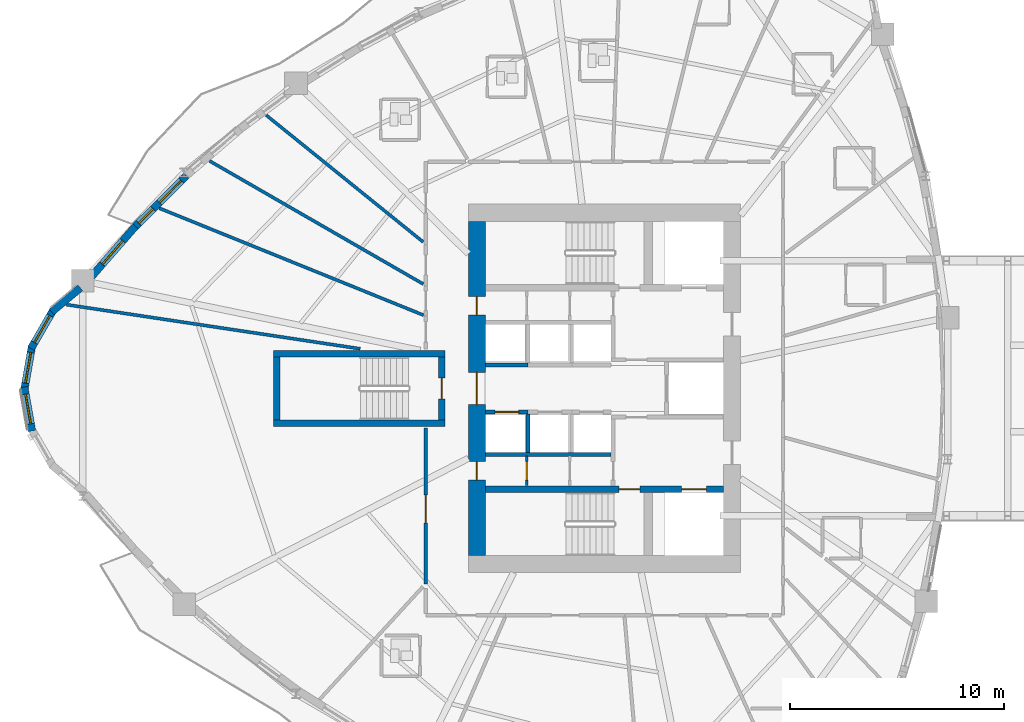
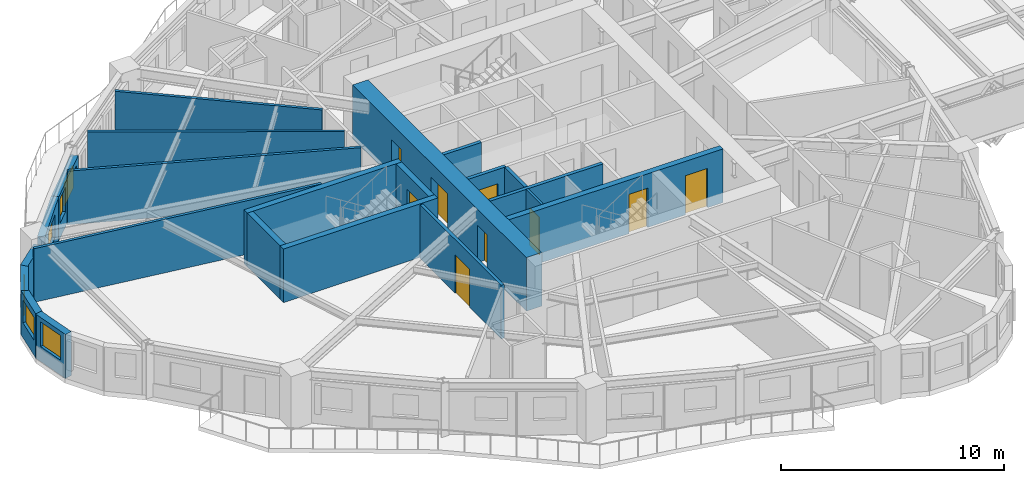
# One storey, part 5 of 16: 22 walls, 9 doors, 6 windows, 15 openings.
"""IFC4 building model written with IfcOpenShell, lengths in metres."""

import ifcopenshell
import ifcopenshell.guid

model = None  # the IFC model being written
_history = None  # IfcOwnerHistory: only IFC2X3 demands one
_inside = {}  # id of a spatial element -> (the spatial element, [elements in it])
_under = {}  # id of a project, library or spatial element -> (it, [spatial elements below it])
_declared = {}  # id of a project -> (the project, [libraries it declares])
_typed = {}  # id of a type object -> (the type object, [elements of that type])
_made_of = {}  # id of a material, layer set ... -> (it, [elements and type objects made of it])


def new_model(schema):
    """Start an empty IFC model of exactly this schema.

    Asked for "IFC4X3", IfcOpenShell would pick the latest addendum, in which some entities
    have other attributes; the version numbers below select the first issue.
    IFC2X3 requires an IfcOwnerHistory on every rooted entity: one is made here for all.
    """
    global model, _history
    if schema == "IFC4X3":
        model = ifcopenshell.file(schema_version=(4, 3, 0, 0))
    else:
        model = ifcopenshell.file(schema=schema)
    _inside.clear()
    _under.clear()
    _declared.clear()
    _typed.clear()
    _made_of.clear()
    _history = None
    if model.schema == "IFC2X3":
        org = make("IfcOrganization", Name="unknown")
        user = make(
            "IfcPersonAndOrganization",
            ThePerson=make("IfcPerson", FamilyName="unknown"),
            TheOrganization=org,
        )
        app = make(
            "IfcApplication",
            ApplicationDeveloper=org,
            Version="unknown",
            ApplicationFullName="unknown",
            ApplicationIdentifier="unknown",
        )
        _history = make(
            "IfcOwnerHistory",
            OwningUser=user,
            OwningApplication=app,
            ChangeAction="ADDED",
            CreationDate=0,
        )
    return model


def make(cls, **values):
    """One entity of the class cls with the attributes given. An attribute that is None is left unset."""
    return model.create_entity(
        cls, **{name: value for name, value in values.items() if value is not None}
    )


def rooted(cls, **values):
    """An entity with a GlobalId (a new one), such as an element, a storey or a relation."""
    return make(cls, GlobalId=ifcopenshell.guid.new(), OwnerHistory=_history, **values)


def si_unit(unit_type, name, prefix=None):
    """IfcSIUnit, for example si_unit("LENGTHUNIT", "METRE", prefix="MILLI")."""
    return make("IfcSIUnit", UnitType=unit_type, Prefix=prefix, Name=name)


def assignment(units):
    """IfcUnitAssignment: the units of a project."""
    return None if units is None else make("IfcUnitAssignment", Units=units)


def point(xyz):
    """IfcCartesianPoint."""
    return None if xyz is None else make("IfcCartesianPoint", Coordinates=xyz)


def direction(xyz):
    """IfcDirection."""
    return None if xyz is None else make("IfcDirection", DirectionRatios=xyz)


def frame(location, z_axis=None, x_axis=None):
    """IfcAxis2Placement3D, a coordinate frame: its origin and axes. An axis left out is left unset."""
    return make(
        "IfcAxis2Placement3D",
        Location=point(location),
        Axis=direction(z_axis),
        RefDirection=direction(x_axis),
    )


def frame_2d(location, x_axis=None):
    """IfcAxis2Placement2D, a coordinate frame in the plane: its origin and x axis."""
    return make(
        "IfcAxis2Placement2D", Location=point(location), RefDirection=direction(x_axis)
    )


def origin():
    """The frame at (0, 0, 0) with its axes left unset."""
    return frame((0.0, 0.0, 0.0))


def place(relative_to, where):
    """IfcLocalPlacement: puts the frame where relative to a parent placement (None: the world)."""
    return make(
        "IfcLocalPlacement", PlacementRelTo=relative_to, RelativePlacement=where
    )


def context(
    kind, dimensions, precision=None, world=None, true_north=None, identifier=None
):
    """IfcGeometricRepresentationContext, for example the 3D "Model" context."""
    return make(
        "IfcGeometricRepresentationContext",
        ContextIdentifier=identifier,
        ContextType=kind,
        CoordinateSpaceDimension=dimensions,
        Precision=precision,
        WorldCoordinateSystem=world,
        TrueNorth=true_north,
    )


def subcontext(parent, identifier, kind, view, scale=None):
    """IfcGeometricRepresentationSubContext, for example "Body" below "Model"."""
    return make(
        "IfcGeometricRepresentationSubContext",
        ContextIdentifier=identifier,
        ContextType=kind,
        ParentContext=parent,
        TargetScale=scale,
        TargetView=view,
    )


def project(units=None, contexts=None):
    """IfcProject with its units and contexts."""
    return rooted(
        "IfcProject",
        Name="project",
        RepresentationContexts=contexts,
        UnitsInContext=assignment(units),
    )


def spatial(cls, under=None, at=None, **own):
    """A site, building, storey or space (cls), placed at a placement, below another one or the project."""
    s = rooted(cls, ObjectPlacement=at, **own)
    if under is not None:
        _under.setdefault(under.id(), (under, []))[1].append(s)
    return s


def profile(cls, at=None, kind="AREA", **sizes):
    """A parametric profile (cls). Its sizes go by their IFC names, for example OverallWidth=200.0."""
    return make(cls, ProfileType=kind, Position=at, **sizes)


def rectangle(**sizes):
    """IfcRectangleProfileDef."""
    return profile("IfcRectangleProfileDef", **sizes)


def extrude(swept, where, along, depth):
    """IfcExtrudedAreaSolid: the profile swept, set in the frame where, extruded along a direction by depth."""
    return make(
        "IfcExtrudedAreaSolid",
        SweptArea=swept,
        Position=where,
        ExtrudedDirection=direction(along),
        Depth=depth,
    )


def shape(context_of_items, identifier, shape_type, items):
    """IfcShapeRepresentation: the items that make up one representation, for example the "Body"."""
    return make(
        "IfcShapeRepresentation",
        ContextOfItems=context_of_items,
        RepresentationIdentifier=identifier,
        RepresentationType=shape_type,
        Items=items,
    )


def source(mapping_origin, context_of_items, identifier, shape_type, items):
    """IfcRepresentationMap: a shape defined once, which mapped items show again and again."""
    return make(
        "IfcRepresentationMap",
        MappingOrigin=mapping_origin,
        MappedRepresentation=shape(context_of_items, identifier, shape_type, items),
    )


def transform(
    local_origin,
    x_axis=None,
    y_axis=None,
    z_axis=None,
    scale=None,
    scale2=None,
    scale3=None,
    uniform=True,
):
    """IfcCartesianTransformationOperator3D, or its non-uniform kind. x_axis, y_axis, z_axis: its Axis1, 2, 3."""
    if uniform:
        return make(
            "IfcCartesianTransformationOperator3D",
            Axis1=direction(x_axis),
            Axis2=direction(y_axis),
            LocalOrigin=point(local_origin),
            Scale=scale,
            Axis3=direction(z_axis),
        )
    return make(
        "IfcCartesianTransformationOperator3DnonUniform",
        Axis1=direction(x_axis),
        Axis2=direction(y_axis),
        LocalOrigin=point(local_origin),
        Scale=scale,
        Axis3=direction(z_axis),
        Scale2=scale2,
        Scale3=scale3,
    )


def mapped(mapping_source, mapping_target):
    """IfcMappedItem: shows the shape of a source again, moved by a transform."""
    return make(
        "IfcMappedItem", MappingSource=mapping_source, MappingTarget=mapping_target
    )


def material(Name=None, Category=None):
    """IfcMaterial."""
    return make("IfcMaterial", Name=Name, Category=Category)


def layer(
    of_material, thickness, ventilated=None, Name=None, Category=None, Priority=None
):
    """IfcMaterialLayer: one layer of a wall or slab, of a material (None: an air gap)."""
    return make(
        "IfcMaterialLayer",
        Material=of_material,
        LayerThickness=thickness,
        IsVentilated=ventilated,
        Name=Name,
        Category=Category,
        Priority=Priority,
    )


def layer_set(layers, Name=None):
    """IfcMaterialLayerSet."""
    return make("IfcMaterialLayerSet", MaterialLayers=layers, LayerSetName=Name)


def made_of(thing, what):
    """Note that an element or type object is made of a material, layer set ...; save() writes the relation."""
    if what is not None:
        _made_of.setdefault(what.id(), (what, []))[1].append(thing)
    return thing


def type_object(cls, material=None, **own):
    """A type object (cls), such as IfcWallType, which elements share."""
    return made_of(rooted(cls, **own), material)


def element(
    cls,
    number,
    at=None,
    inside=None,
    cuts=None,
    type_object=None,
    material=None,
    context=None,
    identifier="Body",
    shape_type=None,
    held_by="IfcProductDefinitionShape",
    body=None,
    shapes=None,
    **own,
):
    """One element of the class cls, such as IfcWall. Its Tag is "e" and its number.

    at: its placement. inside: the storey or other place that contains it. cuts: it is an
    opening in that element (IfcRelVoidsElement). A single representation is given by context,
    identifier, shape_type and body (its items); several are given by shapes. held_by: the class
    of the entity that holds the representations. save() writes the other relations.
    """
    e = rooted(cls, Tag="e%d" % number, ObjectPlacement=at, **own)
    if body is not None:
        shapes = [shape(context, identifier, shape_type, body)]
    if shapes is not None:
        e.Representation = make(held_by, Representations=shapes)
    if inside is not None:
        _inside.setdefault(inside.id(), (inside, []))[1].append(e)
    if cuts is not None:
        rooted(
            "IfcRelVoidsElement", RelatingBuildingElement=cuts, RelatedOpeningElement=e
        )
    if type_object is not None:
        _typed.setdefault(type_object.id(), (type_object, []))[1].append(e)
    return made_of(e, material)


def fill(opening, filler):
    """IfcRelFillsElement: the door or window that sits in an opening."""
    return rooted(
        "IfcRelFillsElement",
        RelatingOpeningElement=opening,
        RelatedBuildingElement=filler,
    )


def aggregate(whole, parts):
    """IfcRelAggregates: a whole, such as a stair, and the parts it consists of."""
    return rooted("IfcRelAggregates", RelatingObject=whole, RelatedObjects=parts)


def save(model, path):
    """Write the relations noted so far, then the file.

    IfcRelAggregates (storeys below a building ...), IfcRelContainedInSpatialStructure (elements
    in a storey), IfcRelDefinesByType, IfcRelAssociatesMaterial and IfcRelDeclares: one each for
    every whole, place, type object, material and project.
    """
    for whole, parts in _under.values():
        aggregate(whole, parts)
    for where, things in _inside.values():
        rooted(
            "IfcRelContainedInSpatialStructure",
            RelatedElements=things,
            RelatingStructure=where,
        )
    for kind, things in _typed.values():
        rooted("IfcRelDefinesByType", RelatedObjects=things, RelatingType=kind)
    for what, things in _made_of.values():
        rooted("IfcRelAssociatesMaterial", RelatedObjects=things, RelatingMaterial=what)
    for by, libraries in _declared.values():
        rooted("IfcRelDeclares", RelatingContext=by, RelatedDefinitions=libraries)
    model.write(path)


model = new_model("IFC4")

# Units and contexts
model_context = context("Model", 3, precision=1e-05, world=origin(), true_north=direction((0.0, 1.0)))
body_context = subcontext(model_context, "Body", "Model", "MODEL_VIEW")
ifc_project = project(units=[si_unit("LENGTHUNIT", "METRE"), si_unit("AREAUNIT", "SQUARE_METRE"), si_unit("VOLUMEUNIT", "CUBIC_METRE"), si_unit("PLANEANGLEUNIT", "RADIAN"), si_unit("MASSUNIT", "GRAM", prefix="KILO")], contexts=[model_context])

# Site, building, storey
site_placement = place(None, origin())
site = spatial("IfcSite", under=ifc_project, at=site_placement, CompositionType="ELEMENT")
building_placement = place(site_placement, origin())
building = spatial("IfcBuilding", under=site, at=building_placement, Name="Qafzar Sky-Pleat Residences", CompositionType="ELEMENT")
storey_placement = place(building_placement, frame((0.0, 0.0, 30.199951171875)))
storey = spatial("IfcBuildingStorey", under=building, at=storey_placement, Name="L08", CompositionType="ELEMENT", Elevation=30.199951171875)

# Wall, opening, door
ifc_material_1 = material(Name="Acoustic gypsum plasterboard partition", Category="gypsum")
ifc_layer_1 = layer(ifc_material_1, 0.159912109375)
ifc_layer_set_1 = layer_set([ifc_layer_1], Name="Acoustic gypsum plasterboard partition")
wall_type_1 = type_object("IfcWallType", Name="PART-COR-160", PredefinedType="PARTITIONING", material=ifc_layer_set_1)
wall_1_placement = place(storey_placement, frame((22.02001953125, 16.883056640625, 0.0), z_axis=(0.0, 0.0, 1.0), x_axis=(0.0, 1.0, 0.0)))
wall_1 = element("IfcWall", 1, at=wall_1_placement, inside=storey, type_object=wall_type_1, Name="L08 Partition Wall PART-L08-PW-002", PredefinedType="PARTITIONING", context=body_context, shape_type="SweptSolid", body=[
    extrude(rectangle(XDim=7.266845703125, YDim=0.159912109375, at=frame_2d((3.63330078125, 0.0))), origin(), (0.0, 0.0, 1.0), 2.93505859375),
])
opening_1_placement = place(wall_1_placement, frame((2.844970703125, 0.0, 0.0)))
opening_1 = element("IfcOpeningElement", 2, at=opening_1_placement, cuts=wall_1, Name="Opening ID-05", PredefinedType="OPENING", context=body_context, shape_type="SweptSolid", body=[
    extrude(rectangle(XDim=1.300048828125, YDim=2.10009765625, at=frame_2d((0.64990234375, 1.050048828125))), frame((0.0, 0.08984375, 0.0), z_axis=(0.0, -1.0, 0.0), x_axis=(1.0, 0.0, 0.0)), (0.0, 0.0, 1.0), 0.179931640625),
])
ifc_material_2 = material(Name="Timber-faced fire door", Category="wood")
door_type_1 = type_object("IfcDoorType", Name="DR-LNG-1300", OperationType="DOUBLE_DOOR_SINGLE_SWING", PredefinedType="DOOR", material=ifc_material_2)
shared_shape_1 = source(origin(), body_context, "Body", "SweptSolid", [
    extrude(rectangle(XDim=1.300048828125, YDim=2.10009765625, at=frame_2d((0.64990234375, 1.050048828125))), frame((0.0, 0.02490234375, 0.0), z_axis=(0.0, -1.0, 0.0), x_axis=(1.0, 0.0, 0.0)), (0.0, 0.0, 1.0), 0.050048828125),
])
door_1_placement = place(opening_1_placement, origin())
door_1 = element("IfcDoor", 3, at=door_1_placement, inside=storey, type_object=door_type_1, Name="L08 Academic Seminar Room Door", OperationType="DOUBLE_DOOR_SINGLE_SWING", OverallHeight=2.10009765625, OverallWidth=1.300048828125, PredefinedType="DOOR", context=body_context, shape_type="MappedRepresentation", body=[
    mapped(shared_shape_1, transform((0.0, 0.0, 0.0), x_axis=(1.0, 0.0, 0.0), y_axis=(0.0, 1.0, 0.0), z_axis=(0.0, 0.0, 1.0), scale=1.0)),
])
fill(opening_1, door_1)

# Wall
ifc_material_3 = material(Name="Concrete blockwork partition", Category="masonry")
ifc_layer_2 = layer(ifc_material_3, 0.179931640625)
ifc_layer_set_2 = layer_set([ifc_layer_2], Name="Concrete blockwork partition")
wall_type_2 = type_object("IfcWallType", Name="PART-SHAFT-180", PredefinedType="PARTITIONING", material=ifc_layer_set_2)
wall_2_placement = place(storey_placement, frame((24.81005859375, 22.919921875, 0.0), z_axis=(0.0, 0.0, 1.0), x_axis=(1.0, 0.0, 0.0)))
element("IfcWall", 4, at=wall_2_placement, inside=storey, type_object=wall_type_2, Name="L08 Partition Wall PART-L08-P13-S", PredefinedType="PARTITIONING", context=body_context, shape_type="SweptSolid", body=[
    extrude(rectangle(XDim=5.83984375, YDim=0.179931640625, at=frame_2d((2.919921875, 0.0))), origin(), (0.0, 0.0, 1.0), 2.93505859375),
])

# Wall, opening, door
wall_3_placement = place(storey_placement, frame((24.81005859375, 24.89990234375, 0.0), z_axis=(0.0, 0.0, 1.0), x_axis=(1.0, 0.0, 0.0)))
wall_3 = element("IfcWall", 5, at=wall_3_placement, inside=storey, type_object=wall_type_2, Name="L08 Partition Wall PART-L08-P1-N", PredefinedType="PARTITIONING", context=body_context, shape_type="SweptSolid", body=[
    extrude(rectangle(XDim=1.96484375, YDim=0.179931640625, at=frame_2d((0.982421875, 0.0))), origin(), (0.0, 0.0, 1.0), 2.93505859375),
])
opening_2_placement = place(wall_3_placement, frame((0.4326171875, 0.0, 0.0)))
opening_2 = element("IfcOpeningElement", 6, at=opening_2_placement, cuts=wall_3, Name="Opening LD-01", PredefinedType="OPENING", context=body_context, shape_type="SweptSolid", body=[
    extrude(rectangle(XDim=1.10009765625, YDim=2.14990234375, at=frame_2d((0.550048828125, 1.074951171875))), frame((0.0, 0.10009765625, 0.0), z_axis=(0.0, -1.0, 0.0), x_axis=(1.0, 0.0, 0.0)), (0.0, 0.0, 1.0), 0.199951171875),
])
ifc_material_4 = material(Name="Stainless steel sliding landing door", Category="steel")
door_type_2 = type_object("IfcDoorType", Name="DR-LIFT-P", OperationType="DOUBLE_DOOR_SLIDING", PredefinedType="DOOR", material=ifc_material_4)
shared_shape_2 = source(origin(), body_context, "Body", "SweptSolid", [
    extrude(rectangle(XDim=1.10009765625, YDim=2.14990234375, at=frame_2d((0.550048828125, 1.074951171875))), frame((0.0, 0.02490234375, 0.0), z_axis=(0.0, -1.0, 0.0), x_axis=(1.0, 0.0, 0.0)), (0.0, 0.0, 1.0), 0.050048828125),
])
door_2_placement = place(opening_2_placement, origin())
door_2 = element("IfcDoor", 7, at=door_2_placement, inside=storey, type_object=door_type_2, Name="L08 Passenger Lift P1 Landing Door", OperationType="DOUBLE_DOOR_SLIDING", OverallHeight=2.14990234375, OverallWidth=1.10009765625, PredefinedType="DOOR", context=body_context, shape_type="MappedRepresentation", body=[
    mapped(shared_shape_2, transform((0.0, 0.0, 0.0), x_axis=(1.0, 0.0, 0.0), y_axis=(0.0, 1.0, 0.0), z_axis=(0.0, 0.0, 1.0), scale=1.0)),
])
fill(opening_2, door_2)

# Walls
wall_4_placement = place(storey_placement, frame((26.77490234375, 23.02001953125, 0.0), z_axis=(0.0, 0.0, 1.0), x_axis=(0.0, 1.0, 0.0)))
element("IfcWall", 8, at=wall_4_placement, inside=storey, type_object=wall_type_2, Name="L08 Partition Wall PART-L08-P13-DIV-1", PredefinedType="PARTITIONING", context=body_context, shape_type="SweptSolid", body=[
    extrude(rectangle(XDim=1.780029296875, YDim=0.179931640625, at=frame_2d((0.89013671875, 0.0))), origin(), (0.0, 0.0, 1.0), 2.93505859375),
])
wall_5_placement = place(storey_placement, frame((24.81005859375, 27.10009765625, 0.0), z_axis=(0.0, 0.0, 1.0), x_axis=(1.0, 0.0, 0.0)))
element("IfcWall", 9, at=wall_5_placement, inside=storey, type_object=wall_type_2, Name="L08 Partition Wall PART-L08-P4-S", PredefinedType="PARTITIONING", context=body_context, shape_type="SweptSolid", body=[
    extrude(rectangle(XDim=1.96484375, YDim=0.179931640625, at=frame_2d((0.982421875, 0.0))), origin(), (0.0, 0.0, 1.0), 2.93505859375),
])

# Wall, opening, door
ifc_material_5 = material(Name="Gypsum plasterboard partition", Category="gypsum")
ifc_layer_3 = layer(ifc_material_5, 0.114990234375)
ifc_layer_set_3 = layer_set([ifc_layer_3], Name="Gypsum plasterboard partition")
wall_type_3 = type_object("IfcWallType", Name="PART-SVC-115", PredefinedType="PARTITIONING", material=ifc_layer_set_3)
wall_6_placement = place(storey_placement, frame((26.72509765625, 21.4599609375, 0.0), z_axis=(0.0, 0.0, 1.0), x_axis=(0.0, 1.0, 0.0)))
wall_6 = element("IfcWall", 10, at=wall_6_placement, inside=storey, type_object=wall_type_3, Name="L08 Partition Wall PART-L08-KC-SW-1", PredefinedType="PARTITIONING", context=body_context, shape_type="SweptSolid", body=[
    extrude(rectangle(XDim=1.380126953125, YDim=0.114990234375, at=frame_2d((0.68994140625, 0.0))), origin(), (0.0, 0.0, 1.0), 2.93505859375),
])
opening_3_placement = place(wall_6_placement, frame((0.260009765625, 0.0, 0.0)))
opening_3 = element("IfcOpeningElement", 11, at=opening_3_placement, cuts=wall_6, Name="Opening ID-09", PredefinedType="OPENING", context=body_context, shape_type="SweptSolid", body=[
    extrude(rectangle(XDim=0.860107421875, YDim=2.050048828125, at=frame_2d((0.43017578125, 1.02490234375))), frame((0.0, 0.0673828125, 0.0), z_axis=(0.0, -1.0, 0.0), x_axis=(1.0, 0.0, 0.0)), (0.0, 0.0, 1.0), 0.135009765625),
])
door_type_3 = type_object("IfcDoorType", Name="DR-SVC-860", OperationType="NOTDEFINED", PredefinedType="DOOR", material=ifc_material_2)
shared_shape_3 = source(origin(), body_context, "Body", "SweptSolid", [
    extrude(rectangle(XDim=0.860107421875, YDim=2.050048828125, at=frame_2d((0.43017578125, 1.02490234375))), frame((0.0, 0.02490234375, 0.0), z_axis=(0.0, -1.0, 0.0), x_axis=(1.0, 0.0, 0.0)), (0.0, 0.0, 1.0), 0.050048828125),
])
door_3_placement = place(opening_3_placement, origin())
door_3 = element("IfcDoor", 12, at=door_3_placement, inside=storey, type_object=door_type_3, Name="L08 Core South Cupboard 1 Door", OperationType="SINGLE_SWING_RIGHT", OverallHeight=2.050048828125, OverallWidth=0.860107421875, PredefinedType="DOOR", context=body_context, shape_type="MappedRepresentation", body=[
    mapped(shared_shape_3, transform((0.0, 0.0, 0.0), x_axis=(1.0, 0.0, 0.0), y_axis=(0.0, 1.0, 0.0), z_axis=(0.0, 0.0, 1.0), scale=1.0)),
])
fill(opening_3, door_3)

# Walls
ifc_layer_4 = layer(ifc_material_1, 0.14501953125)
ifc_layer_set_4 = layer_set([ifc_layer_4], Name="Acoustic gypsum plasterboard partition")
wall_type_4 = type_object("IfcWallType", Name="PART-UNIT-145", PredefinedType="PARTITIONING", material=ifc_layer_set_4)
wall_7_placement = place(storey_placement, frame((5.242431640625, 29.91015625, 0.0), z_axis=(0.0, 0.0, 1.0), x_axis=(0.988899381561, -0.148586719285, 0.0)))
element("IfcWall", 13, at=wall_7_placement, inside=storey, type_object=wall_type_4, Name="L08 Partition Wall PART-L08-PW-033", PredefinedType="PARTITIONING", context=body_context, shape_type="SweptSolid", body=[
    extrude(rectangle(XDim=13.8642578125, YDim=0.14501953125, at=frame_2d((6.93212890625, 0.0))), origin(), (0.0, 0.0, 1.0), 2.93505859375),
])
wall_8_placement = place(storey_placement, frame((9.577392578125, 34.410400390625, 0.0), z_axis=(0.0, 0.0, 1.0), x_axis=(0.926920362809, -0.375258099194, 0.0)))
element("IfcWall", 14, at=wall_8_placement, inside=storey, type_object=wall_type_4, Name="L08 Partition Wall PART-L08-PW-034", PredefinedType="PARTITIONING", context=body_context, shape_type="SweptSolid", body=[
    extrude(rectangle(XDim=13.300048828125, YDim=0.14501953125, at=frame_2d((6.64990234375, 0.0))), origin(), (0.0, 0.0, 1.0), 2.93505859375),
])
wall_9_placement = place(storey_placement, frame((11.92041015625, 36.617919921875, 0.0), z_axis=(0.0, 0.0, 1.0), x_axis=(0.866473494239, -0.499223080177, 0.0)))
element("IfcWall", 15, at=wall_9_placement, inside=storey, type_object=wall_type_4, Name="L08 Partition Wall PART-L08-PW-036", PredefinedType="PARTITIONING", context=body_context, shape_type="SweptSolid", body=[
    extrude(rectangle(XDim=11.513916015625, YDim=0.14501953125, at=frame_2d((5.7568359375, 0.0))), origin(), (0.0, 0.0, 1.0), 2.93505859375),
])
wall_10_placement = place(storey_placement, frame((14.56591796875, 38.750732421875, 0.0), z_axis=(0.0, 0.0, 1.0), x_axis=(0.777881688073, -0.628410756879, 0.0)))
element("IfcWall", 16, at=wall_10_placement, inside=storey, type_object=wall_type_4, Name="L08 Partition Wall PART-L08-PW-038", PredefinedType="PARTITIONING", context=body_context, shape_type="SweptSolid", body=[
    extrude(rectangle(XDim=9.4130859375, YDim=0.14501953125, at=frame_2d((4.70654296875, 0.0))), origin(), (0.0, 0.0, 1.0), 2.93505859375),
])
ifc_material_6 = material(Name="Precast concrete C40/50 with honed Riyadh limestone", Category="concrete")
ifc_layer_5 = layer(ifc_material_6, 0.35009765625)
ifc_layer_set_5 = layer_set([ifc_layer_5], Name="Precast concrete C40/50 with honed Riyadh limestone")
wall_type_5 = type_object("IfcWallType", Name="WALL-EXT-350", PredefinedType="SOLIDWALL", material=ifc_layer_set_5)
wall_11_placement = place(storey_placement, frame((5.892578125, 30.696044921875, 0.0), z_axis=(0.0, 0.0, 1.0), x_axis=(-0.766001205563, -0.64283913468, 0.0)))
element("IfcWall", 17, at=wall_11_placement, inside=storey, type_object=wall_type_5, Name="L08 Limestone Facade Wall 1", PredefinedType="SOLIDWALL", context=body_context, shape_type="SweptSolid", body=[
    extrude(rectangle(XDim=1.75244140625, YDim=0.35009765625, at=frame_2d((0.876220703125, 0.0))), origin(), (0.0, 0.0, 1.0), 2.4150390625),
])

# Wall, opening, window
wall_12_placement = place(storey_placement, frame((4.637451171875, 29.673583984375, 0.0), z_axis=(0.0, 0.0, 1.0), x_axis=(-0.499995423472, -0.866028046028, 0.0)))
wall_12 = element("IfcWall", 18, at=wall_12_placement, inside=storey, type_object=wall_type_5, Name="L08 Limestone Facade Wall 2", PredefinedType="SOLIDWALL", context=body_context, shape_type="SweptSolid", body=[
    extrude(rectangle(XDim=2.09033203125, YDim=0.35009765625, at=frame_2d((1.045166015625, 0.0))), origin(), (0.0, 0.0, 1.0), 2.4150390625),
])
opening_4_placement = place(wall_12_placement, frame((0.3203125, 0.0, 0.820068359375)))
opening_4 = element("IfcOpeningElement", 19, at=opening_4_placement, cuts=wall_12, Name="Opening WN-15", PredefinedType="OPENING", context=body_context, shape_type="SweptSolid", body=[
    extrude(rectangle(XDim=1.449951171875, YDim=1.25, at=frame_2d((0.72509765625, 0.625))), frame((0.0, 0.18505859375, 0.0), z_axis=(0.0, -1.0, 0.0), x_axis=(1.0, 0.0, 0.0)), (0.0, 0.0, 1.0), 0.3701171875),
])
ifc_material_7 = material(Name="Solar-control low-E glass in bronze aluminium frame", Category="glass")
window_type_1 = type_object("IfcWindowType", Name="WIN-15", PartitioningType="SINGLE_PANEL", PredefinedType="WINDOW", material=ifc_material_7)
shared_shape_4 = source(origin(), body_context, "Body", "SweptSolid", [
    extrude(rectangle(XDim=1.449951171875, YDim=1.25, at=frame_2d((0.72509765625, 0.625))), frame((0.0, 0.030029296875, 0.0), z_axis=(0.0, -1.0, 0.0), x_axis=(1.0, 0.0, 0.0)), (0.0, 0.0, 1.0), 0.06005859375),
])
window_1_placement = place(opening_4_placement, origin())
window_1 = element("IfcWindow", 20, at=window_1_placement, inside=storey, type_object=window_type_1, Name="L08 Punched Facade Window 02", OverallHeight=1.25, OverallWidth=1.449951171875, PartitioningType="SINGLE_PANEL", PredefinedType="WINDOW", context=body_context, shape_type="MappedRepresentation", body=[
    mapped(shared_shape_4, transform((0.0, 0.0, 0.0), x_axis=(1.0, 0.0, 0.0), y_axis=(0.0, 1.0, 0.0), z_axis=(0.0, 0.0, 1.0), scale=1.0)),
])
fill(opening_4, window_1)

wall_13_placement = place(storey_placement, frame((3.638671875, 27.99072265625, 0.0), z_axis=(0.0, 0.0, 1.0), x_axis=(-0.173672066494, -0.984803540469, 0.0)))
wall_13 = element("IfcWall", 21, at=wall_13_placement, inside=storey, type_object=wall_type_5, Name="L08 Limestone Facade Wall 3", PredefinedType="SOLIDWALL", context=body_context, shape_type="SweptSolid", body=[
    extrude(rectangle(XDim=2.09033203125, YDim=0.35009765625, at=frame_2d((1.045166015625, 0.0))), origin(), (0.0, 0.0, 1.0), 2.4150390625),
])
opening_5_placement = place(wall_13_placement, frame((0.3203125, 0.0, 0.820068359375)))
opening_5 = element("IfcOpeningElement", 22, at=opening_5_placement, cuts=wall_13, Name="Opening WN-15", PredefinedType="OPENING", context=body_context, shape_type="SweptSolid", body=[
    extrude(rectangle(XDim=1.449951171875, YDim=1.25, at=frame_2d((0.72509765625, 0.625))), frame((0.0, 0.18505859375, 0.0), z_axis=(0.0, -1.0, 0.0), x_axis=(1.0, 0.0, 0.0)), (0.0, 0.0, 1.0), 0.3701171875),
])
window_2_placement = place(opening_5_placement, origin())
window_2 = element("IfcWindow", 23, at=window_2_placement, inside=storey, type_object=window_type_1, Name="L08 Punched Facade Window 03", OverallHeight=1.25, OverallWidth=1.449951171875, PartitioningType="SINGLE_PANEL", PredefinedType="WINDOW", context=body_context, shape_type="MappedRepresentation", body=[
    mapped(shared_shape_4, transform((0.0, 0.0, 0.0), x_axis=(1.0, 0.0, 0.0), y_axis=(0.0, 1.0, 0.0), z_axis=(0.0, 0.0, 1.0), scale=1.0)),
])
fill(opening_5, window_2)

wall_14_placement = place(storey_placement, frame((3.275634765625, 26.06787109375, 0.0), z_axis=(0.0, 0.0, 1.0), x_axis=(0.173672066494, -0.984803540469, 0.0)))
wall_14 = element("IfcWall", 24, at=wall_14_placement, inside=storey, type_object=wall_type_5, Name="L08 Limestone Facade Wall 4", PredefinedType="SOLIDWALL", context=body_context, shape_type="SweptSolid", body=[
    extrude(rectangle(XDim=2.09033203125, YDim=0.35009765625, at=frame_2d((1.045166015625, 0.0))), origin(), (0.0, 0.0, 1.0), 2.4150390625),
])
opening_6_placement = place(wall_14_placement, frame((0.34521484375, 0.0, 0.820068359375)))
opening_6 = element("IfcOpeningElement", 25, at=opening_6_placement, cuts=wall_14, Name="Opening WN-10", PredefinedType="OPENING", context=body_context, shape_type="SweptSolid", body=[
    extrude(rectangle(XDim=1.39990234375, YDim=1.35009765625, at=frame_2d((0.699951171875, 0.675048828125))), frame((0.0, 0.18505859375, 0.0), z_axis=(0.0, -1.0, 0.0), x_axis=(1.0, 0.0, 0.0)), (0.0, 0.0, 1.0), 0.3701171875),
])
window_type_2 = type_object("IfcWindowType", Name="WIN-10", PartitioningType="SINGLE_PANEL", PredefinedType="WINDOW", material=ifc_material_7)
shared_shape_5 = source(origin(), body_context, "Body", "SweptSolid", [
    extrude(rectangle(XDim=1.39990234375, YDim=1.35009765625, at=frame_2d((0.699951171875, 0.675048828125))), frame((0.0, 0.030029296875, 0.0), z_axis=(0.0, -1.0, 0.0), x_axis=(1.0, 0.0, 0.0)), (0.0, 0.0, 1.0), 0.06005859375),
])
window_3_placement = place(opening_6_placement, origin())
window_3 = element("IfcWindow", 26, at=window_3_placement, inside=storey, type_object=window_type_2, Name="L08 Punched Facade Window 04", OverallHeight=1.35009765625, OverallWidth=1.39990234375, PartitioningType="SINGLE_PANEL", PredefinedType="WINDOW", context=body_context, shape_type="MappedRepresentation", body=[
    mapped(shared_shape_5, transform((0.0, 0.0, 0.0), x_axis=(1.0, 0.0, 0.0), y_axis=(0.0, 1.0, 0.0), z_axis=(0.0, 0.0, 1.0), scale=1.0)),
])
fill(opening_6, window_3)

# Wall, openings, windows
wall_15_placement = place(storey_placement, frame((10.84130859375, 35.932373046875, 0.0), z_axis=(0.0, 0.0, 1.0), x_axis=(-0.708383272101, -0.70582798174, 0.0)))
wall_15 = element("IfcWall", 27, at=wall_15_placement, inside=storey, type_object=wall_type_5, Name="L08 Limestone Facade Wall 47", PredefinedType="SOLIDWALL", context=body_context, shape_type="SweptSolid", body=[
    extrude(rectangle(XDim=3.439453125, YDim=0.35009765625, at=frame_2d((1.7197265625, 0.0))), origin(), (0.0, 0.0, 1.0), 2.4150390625),
])
opening_7_placement = place(wall_15_placement, frame((0.334228515625, 0.0, 0.820068359375)))
opening_7 = element("IfcOpeningElement", 28, at=opening_7_placement, cuts=wall_15, Name="Opening WN-15", PredefinedType="OPENING", context=body_context, shape_type="SweptSolid", body=[
    extrude(rectangle(XDim=1.449951171875, YDim=1.25, at=frame_2d((0.72509765625, 0.625))), frame((0.0, 0.18505859375, 0.0), z_axis=(0.0, -1.0, 0.0), x_axis=(1.0, 0.0, 0.0)), (0.0, 0.0, 1.0), 0.3701171875),
])
opening_8_placement = place(wall_15_placement, frame((2.194091796875, 0.0, 0.820068359375)))
opening_8 = element("IfcOpeningElement", 29, at=opening_8_placement, cuts=wall_15, Name="Opening WN-12", PredefinedType="OPENING", context=body_context, shape_type="SweptSolid", body=[
    extrude(rectangle(XDim=0.949951171875, YDim=1.35009765625, at=frame_2d((0.47509765625, 0.675048828125))), frame((0.0, 0.18505859375, 0.0), z_axis=(0.0, -1.0, 0.0), x_axis=(1.0, 0.0, 0.0)), (0.0, 0.0, 1.0), 0.3701171875),
])
window_type_3 = type_object("IfcWindowType", Name="WIN-12", PartitioningType="SINGLE_PANEL", PredefinedType="WINDOW", material=ifc_material_7)
shared_shape_6 = source(origin(), body_context, "Body", "SweptSolid", [
    extrude(rectangle(XDim=0.949951171875, YDim=1.35009765625, at=frame_2d((0.47509765625, 0.675048828125))), frame((0.0, 0.030029296875, 0.0), z_axis=(0.0, -1.0, 0.0), x_axis=(1.0, 0.0, 0.0)), (0.0, 0.0, 1.0), 0.06005859375),
])
window_4_placement = place(opening_8_placement, origin())
window_4 = element("IfcWindow", 30, at=window_4_placement, inside=storey, type_object=window_type_3, Name="L08 Punched Facade Window 47-2", OverallHeight=1.35009765625, OverallWidth=0.949951171875, PartitioningType="SINGLE_PANEL", PredefinedType="WINDOW", context=body_context, shape_type="MappedRepresentation", body=[
    mapped(shared_shape_6, transform((0.0, 0.0, 0.0), x_axis=(1.0, 0.0, 0.0), y_axis=(0.0, 1.0, 0.0), z_axis=(0.0, 0.0, 1.0), scale=1.0)),
])
fill(opening_8, window_4)
window_5_placement = place(opening_7_placement, origin())
window_5 = element("IfcWindow", 31, at=window_5_placement, inside=storey, type_object=window_type_1, Name="L08 Punched Facade Window 47", OverallHeight=1.25, OverallWidth=1.449951171875, PartitioningType="SINGLE_PANEL", PredefinedType="WINDOW", context=body_context, shape_type="MappedRepresentation", body=[
    mapped(shared_shape_4, transform((0.0, 0.0, 0.0), x_axis=(1.0, 0.0, 0.0), y_axis=(0.0, 1.0, 0.0), z_axis=(0.0, 0.0, 1.0), scale=1.0)),
])
fill(opening_7, window_5)

# Wall, opening, window
wall_16_placement = place(storey_placement, frame((8.46484375, 33.569091796875, 0.0), z_axis=(0.0, 0.0, 1.0), x_axis=(-0.657600500685, -0.753366830634, 0.0)))
wall_16 = element("IfcWall", 32, at=wall_16_placement, inside=storey, type_object=wall_type_5, Name="L08 Limestone Facade Wall 48", PredefinedType="SOLIDWALL", context=body_context, shape_type="SweptSolid", body=[
    extrude(rectangle(XDim=3.232666015625, YDim=0.35009765625, at=frame_2d((1.6162109375, 0.0))), origin(), (0.0, 0.0, 1.0), 2.4150390625),
])
opening_9_placement = place(wall_16_placement, frame((0.896240234375, 0.0, 0.820068359375)))
opening_9 = element("IfcOpeningElement", 33, at=opening_9_placement, cuts=wall_16, Name="Opening WN-15", PredefinedType="OPENING", context=body_context, shape_type="SweptSolid", body=[
    extrude(rectangle(XDim=1.449951171875, YDim=1.25, at=frame_2d((0.72509765625, 0.625))), frame((0.0, 0.18505859375, 0.0), z_axis=(0.0, -1.0, 0.0), x_axis=(1.0, 0.0, 0.0)), (0.0, 0.0, 1.0), 0.3701171875),
])
window_6_placement = place(opening_9_placement, origin())
window_6 = element("IfcWindow", 34, at=window_6_placement, inside=storey, type_object=window_type_1, Name="L08 Punched Facade Window 48", OverallHeight=1.25, OverallWidth=1.449951171875, PartitioningType="SINGLE_PANEL", PredefinedType="WINDOW", context=body_context, shape_type="MappedRepresentation", body=[
    mapped(shared_shape_4, transform((0.0, 0.0, 0.0), x_axis=(1.0, 0.0, 0.0), y_axis=(0.0, 1.0, 0.0), z_axis=(0.0, 0.0, 1.0), scale=1.0)),
])
fill(opening_9, window_6)

# Wall, openings, doors
ifc_material_8 = material(Name="Concrete C60/75", Category="concrete")
ifc_layer_6 = layer(ifc_material_8, 0.300048828125)
ifc_layer_set_6 = layer_set([ifc_layer_6], Name="Concrete C60/75")
wall_type_6 = type_object("IfcWallType", Name="WALL-SHEAR-300", PredefinedType="SHEAR", material=ifc_layer_set_6)
wall_17_placement = place(storey_placement, frame((24.800048828125, 21.300048828125, 0.0), z_axis=(0.0, 0.0, 1.0), x_axis=(1.0, 0.0, 0.0)))
wall_17 = element("IfcWall", 35, at=wall_17_placement, inside=storey, type_object=wall_type_6, Name="L08 Stair ST1 and FF1 Shaft North Wall", PredefinedType="SHEAR", context=body_context, shape_type="SweptSolid", body=[
    extrude(rectangle(XDim=11.099853515625, YDim=0.300048828125, at=frame_2d((5.5498046875, 0.0))), origin(), (0.0, 0.0, 1.0), 2.93505859375),
])
opening_10_placement = place(wall_17_placement, frame((6.219970703125, 0.0, 0.0)))
opening_10 = element("IfcOpeningElement", 36, at=opening_10_placement, cuts=wall_17, Name="Opening ID-01", PredefinedType="OPENING", context=body_context, shape_type="SweptSolid", body=[
    extrude(rectangle(XDim=0.97998046875, YDim=2.14990234375, at=frame_2d((0.489990234375, 1.074951171875))), frame((0.0, 0.16015625, 0.0), z_axis=(0.0, -1.0, 0.0), x_axis=(1.0, 0.0, 0.0)), (0.0, 0.0, 1.0), 0.320068359375),
])
opening_11_placement = place(wall_17_placement, frame((9.14990234375, 0.0, 0.0)))
opening_11 = element("IfcOpeningElement", 37, at=opening_11_placement, cuts=wall_17, Name="Opening LD-02", PredefinedType="OPENING", context=body_context, shape_type="SweptSolid", body=[
    extrude(rectangle(XDim=1.14990234375, YDim=2.14990234375, at=frame_2d((0.574951171875, 1.074951171875))), frame((0.0, 0.16015625, 0.0), z_axis=(0.0, -1.0, 0.0), x_axis=(1.0, 0.0, 0.0)), (0.0, 0.0, 1.0), 0.320068359375),
])
door_type_4 = type_object("IfcDoorType", Name="DR-STAIR-980", OperationType="NOTDEFINED", PredefinedType="DOOR", material=ifc_material_2)
shared_shape_7 = source(origin(), body_context, "Body", "SweptSolid", [
    extrude(rectangle(XDim=0.97998046875, YDim=2.14990234375, at=frame_2d((0.489990234375, 1.074951171875))), frame((0.0, 0.02490234375, 0.0), z_axis=(0.0, -1.0, 0.0), x_axis=(1.0, 0.0, 0.0)), (0.0, 0.0, 1.0), 0.050048828125),
])
door_4_placement = place(opening_10_placement, origin())
door_4 = element("IfcDoor", 38, at=door_4_placement, inside=storey, type_object=door_type_4, Name="L08 Stair ST1 Fire Door", OperationType="SINGLE_SWING_LEFT", OverallHeight=2.14990234375, OverallWidth=0.97998046875, PredefinedType="DOOR", context=body_context, shape_type="MappedRepresentation", body=[
    mapped(shared_shape_7, transform((0.0, 0.0, 0.0), x_axis=(1.0, 0.0, 0.0), y_axis=(0.0, 1.0, 0.0), z_axis=(0.0, 0.0, 1.0), scale=1.0)),
])
fill(opening_10, door_4)
door_type_5 = type_object("IfcDoorType", Name="DR-LIFT-FF", OperationType="DOUBLE_DOOR_SLIDING", PredefinedType="DOOR", material=ifc_material_4)
shared_shape_8 = source(origin(), body_context, "Body", "SweptSolid", [
    extrude(rectangle(XDim=1.14990234375, YDim=2.14990234375, at=frame_2d((0.574951171875, 1.074951171875))), frame((0.0, 0.02490234375, 0.0), z_axis=(0.0, -1.0, 0.0), x_axis=(1.0, 0.0, 0.0)), (0.0, 0.0, 1.0), 0.050048828125),
])
door_5_placement = place(opening_11_placement, origin())
door_5 = element("IfcDoor", 39, at=door_5_placement, inside=storey, type_object=door_type_5, Name="L08 Firefighting Lift FF1 Landing Door", OperationType="DOUBLE_DOOR_SLIDING", OverallHeight=2.14990234375, OverallWidth=1.14990234375, PredefinedType="DOOR", context=body_context, shape_type="MappedRepresentation", body=[
    mapped(shared_shape_8, transform((0.0, 0.0, 0.0), x_axis=(1.0, 0.0, 0.0), y_axis=(0.0, 1.0, 0.0), z_axis=(0.0, 0.0, 1.0), scale=1.0)),
])
fill(opening_11, door_5)

# Walls
for number, where, z_axis, x_axis, name in (
    (40, (14.89990234375, 24.375, 0.0), (0.0, 0.0, 1.0), (1.0, 0.0, 0.0), "L08 ST3 wall S"),
    (41, (22.89990234375, 27.625, 0.0), (0.0, 0.0, 1.0), (-1.0, 0.0, 0.0), "L08 ST3 wall N"),
):
    element("IfcWall", number, at=place(storey_placement, frame(where, z_axis=z_axis, x_axis=x_axis)), inside=storey, type_object=wall_type_6, Name=name, PredefinedType="SHEAR", context=body_context, shape_type="SweptSolid", body=[
        extrude(rectangle(XDim=8.0, YDim=0.300048828125, at=frame_2d((4.0, 0.0))), origin(), (0.0, 0.0, 1.0), 2.93505859375),
    ])
wall_18_placement = place(storey_placement, frame((15.050048828125, 27.47509765625, 0.0), z_axis=(0.0, 0.0, 1.0), x_axis=(0.0, -1.0, 0.0)))
element("IfcWall", 42, at=wall_18_placement, inside=storey, type_object=wall_type_6, Name="L08 ST3 wall W", PredefinedType="SHEAR", context=body_context, shape_type="SweptSolid", body=[
    extrude(rectangle(XDim=2.9501953125, YDim=0.300048828125, at=frame_2d((1.47509765625, 0.0))), origin(), (0.0, 0.0, 1.0), 2.93505859375),
])

# Wall, opening, door
wall_19_placement = place(storey_placement, frame((22.75, 24.52490234375, 0.0), z_axis=(0.0, 0.0, 1.0), x_axis=(0.0, 1.0, 0.0)))
wall_19 = element("IfcWall", 43, at=wall_19_placement, inside=storey, type_object=wall_type_6, Name="L08 ST3 wall E", PredefinedType="SHEAR", context=body_context, shape_type="SweptSolid", body=[
    extrude(rectangle(XDim=2.9501953125, YDim=0.300048828125, at=frame_2d((1.47509765625, 0.0))), origin(), (0.0, 0.0, 1.0), 2.93505859375),
])
opening_12_placement = place(wall_19_placement, frame((0.985107421875, 0.0, 0.0)))
opening_12 = element("IfcOpeningElement", 44, at=opening_12_placement, cuts=wall_19, Name="Opening ID-01", PredefinedType="OPENING", context=body_context, shape_type="SweptSolid", body=[
    extrude(rectangle(XDim=0.97998046875, YDim=2.14990234375, at=frame_2d((0.489990234375, 1.074951171875))), frame((0.0, 0.16015625, 0.0), z_axis=(0.0, -1.0, 0.0), x_axis=(1.0, 0.0, 0.0)), (0.0, 0.0, 1.0), 0.320068359375),
])
door_6_placement = place(opening_12_placement, origin())
door_6 = element("IfcDoor", 45, at=door_6_placement, inside=storey, type_object=door_type_4, Name="L08 Stair ST3 Fire Door", OperationType="SINGLE_SWING_LEFT", OverallHeight=2.14990234375, OverallWidth=0.97998046875, PredefinedType="DOOR", context=body_context, shape_type="MappedRepresentation", body=[
    mapped(shared_shape_7, transform((0.0, 0.0, 0.0), x_axis=(1.0, 0.0, 0.0), y_axis=(0.0, 1.0, 0.0), z_axis=(0.0, 0.0, 1.0), scale=1.0)),
])
fill(opening_12, door_6)

# Wall, openings, doors
ifc_layer_7 = layer(ifc_material_8, 0.800048828125)
ifc_layer_set_7 = layer_set([ifc_layer_7], Name="Concrete C60/75")
wall_type_7 = type_object("IfcWallType", Name="WALL-SHEAR-800", PredefinedType="SHEAR", material=ifc_layer_set_7)
wall_20_placement = place(storey_placement, frame((24.39990234375, 33.800048828125, 0.0), z_axis=(0.0, 0.0, 1.0), x_axis=(0.0, -1.0, 0.0)))
wall_20 = element("IfcWall", 46, at=wall_20_placement, inside=storey, type_object=wall_type_7, Name="L08 CORE wall W", PredefinedType="SHEAR", context=body_context, shape_type="SweptSolid", body=[
    extrude(rectangle(XDim=15.60009765625, YDim=0.800048828125, at=frame_2d((7.800048828125, 0.0))), origin(), (0.0, 0.0, 1.0), 2.93505859375),
])
opening_13_placement = place(wall_20_placement, frame((7.050048828125, 0.0, 0.0)))
opening_13 = element("IfcOpeningElement", 47, at=opening_13_placement, cuts=wall_20, Name="Opening ID-03", PredefinedType="OPENING", context=body_context, shape_type="SweptSolid", body=[
    extrude(rectangle(XDim=1.5, YDim=2.14990234375, at=frame_2d((0.75, 1.074951171875))), frame((0.0, 0.41015625, 0.0), z_axis=(0.0, -1.0, 0.0), x_axis=(1.0, 0.0, 0.0)), (0.0, 0.0, 1.0), 0.820068359375),
])
opening_14_placement = place(wall_20_placement, frame((3.52001953125, 0.0, 0.0)))
opening_14 = element("IfcOpeningElement", 48, at=opening_14_placement, cuts=wall_20, Name="Opening ID-09", PredefinedType="OPENING", context=body_context, shape_type="SweptSolid", body=[
    extrude(rectangle(XDim=0.860107421875, YDim=2.050048828125, at=frame_2d((0.43017578125, 1.02490234375))), frame((0.0, 0.41015625, 0.0), z_axis=(0.0, -1.0, 0.0), x_axis=(1.0, 0.0, 0.0)), (0.0, 0.0, 1.0), 0.820068359375),
])
opening_15_placement = place(wall_20_placement, frame((11.219970703125, 0.0, 0.0)))
opening_15 = element("IfcOpeningElement", 49, at=opening_15_placement, cuts=wall_20, Name="Opening ID-09", PredefinedType="OPENING", context=body_context, shape_type="SweptSolid", body=[
    extrude(rectangle(XDim=0.860107421875, YDim=2.050048828125, at=frame_2d((0.43017578125, 1.02490234375))), frame((0.0, 0.41015625, 0.0), z_axis=(0.0, -1.0, 0.0), x_axis=(1.0, 0.0, 0.0)), (0.0, 0.0, 1.0), 0.820068359375),
])
door_type_6 = type_object("IfcDoorType", Name="DR-COR-1500", OperationType="DOUBLE_DOOR_SINGLE_SWING", PredefinedType="DOOR", material=ifc_material_2)
shared_shape_9 = source(origin(), body_context, "Body", "SweptSolid", [
    extrude(rectangle(XDim=1.5, YDim=2.14990234375, at=frame_2d((0.75, 1.074951171875))), frame((0.0, 0.02490234375, 0.0), z_axis=(0.0, -1.0, 0.0), x_axis=(1.0, 0.0, 0.0)), (0.0, 0.0, 1.0), 0.050048828125),
])
door_7_placement = place(opening_13_placement, origin())
door_7 = element("IfcDoor", 50, at=door_7_placement, inside=storey, type_object=door_type_6, Name="L08 Lift Lobby West Double Door", OperationType="DOUBLE_DOOR_SINGLE_SWING", OverallHeight=2.14990234375, OverallWidth=1.5, PredefinedType="DOOR", context=body_context, shape_type="MappedRepresentation", body=[
    mapped(shared_shape_9, transform((0.0, 0.0, 0.0), x_axis=(1.0, 0.0, 0.0), y_axis=(0.0, 1.0, 0.0), z_axis=(0.0, 0.0, 1.0), scale=1.0)),
])
fill(opening_13, door_7)
door_8_placement = place(opening_14_placement, origin())
door_8 = element("IfcDoor", 51, at=door_8_placement, inside=storey, type_object=door_type_3, Name="L08 Core North-West Service Door", OperationType="SINGLE_SWING_RIGHT", OverallHeight=2.050048828125, OverallWidth=0.860107421875, PredefinedType="DOOR", context=body_context, shape_type="MappedRepresentation", body=[
    mapped(shared_shape_3, transform((0.0, 0.0, 0.0), x_axis=(1.0, 0.0, 0.0), y_axis=(0.0, 1.0, 0.0), z_axis=(0.0, 0.0, 1.0), scale=1.0)),
])
fill(opening_14, door_8)
door_9_placement = place(opening_15_placement, origin())
door_9 = element("IfcDoor", 52, at=door_9_placement, inside=storey, type_object=door_type_3, Name="L08 Core South-West Service Door", OperationType="SINGLE_SWING_LEFT", OverallHeight=2.050048828125, OverallWidth=0.860107421875, PredefinedType="DOOR", context=body_context, shape_type="MappedRepresentation", body=[
    mapped(shared_shape_3, transform((0.0, 0.0, 0.0), x_axis=(1.0, 0.0, 0.0), y_axis=(0.0, 1.0, 0.0), z_axis=(0.0, 0.0, 1.0), scale=1.0)),
])
fill(opening_15, door_9)

save(model, "model.ifc")
